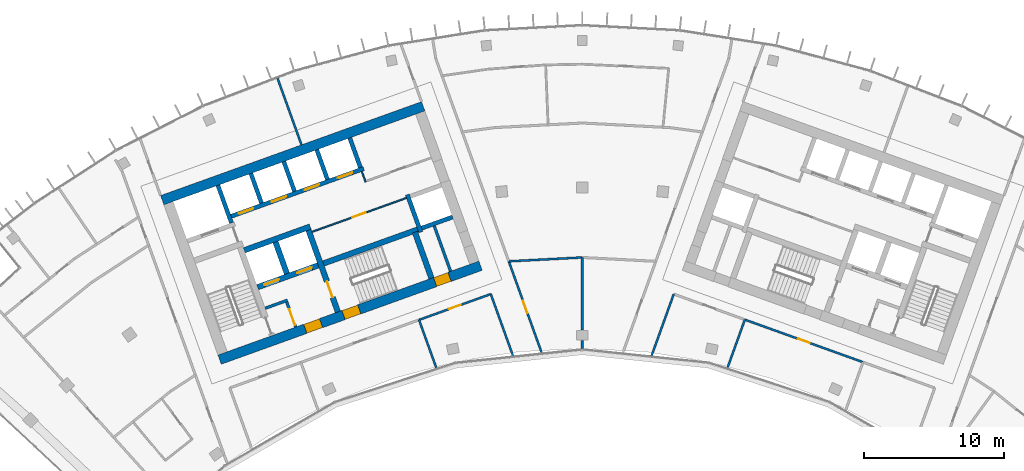
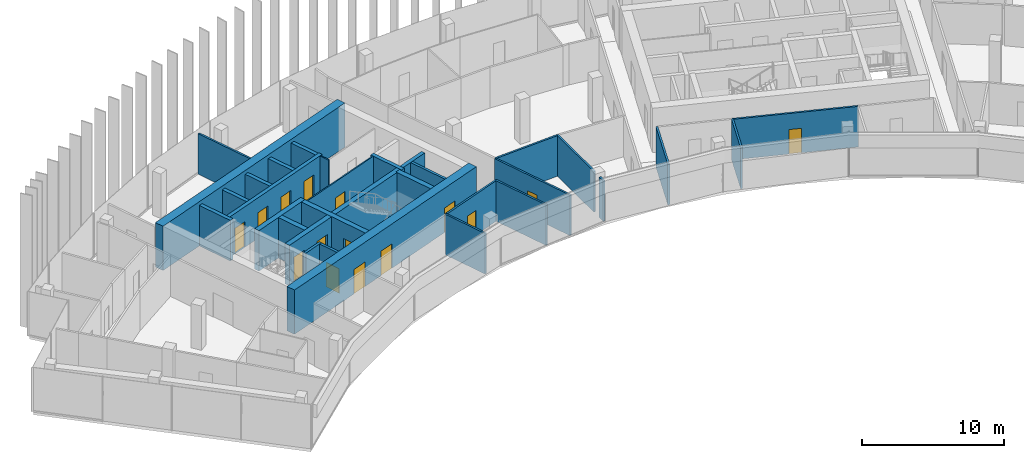
# One storey, part 14 of 18: 31 walls, 15 doors, 15 openings.
"""IFC4 building model written with IfcOpenShell, lengths in metres."""

from ifc_helpers import new_model, si_unit, direction, frame, frame_2d, origin, place, context, subcontext, project, spatial, rectangle, extrude, material, layer, layer_set, type_object, element, fill, save


model = new_model("IFC4")

# Units and contexts
model_context = context("Model", 3, precision=1e-05, world=origin(), true_north=direction((0.0, 1.0)))
body_context = subcontext(model_context, "Body", "Model", "MODEL_VIEW")
ifc_project = project(units=[si_unit("LENGTHUNIT", "METRE"), si_unit("AREAUNIT", "SQUARE_METRE"), si_unit("VOLUMEUNIT", "CUBIC_METRE"), si_unit("PLANEANGLEUNIT", "RADIAN"), si_unit("MASSUNIT", "GRAM", prefix="KILO")], contexts=[model_context])

# Site, building, storey
site_placement = place(None, origin())
site = spatial("IfcSite", under=ifc_project, at=site_placement, CompositionType="ELEMENT")
building_placement = place(site_placement, origin())
building = spatial("IfcBuilding", under=site, at=building_placement, Name="Stone Belt Terrace Tower", CompositionType="ELEMENT")
storey_placement = place(building_placement, frame((0.0, 0.0, 269.39990234375)))
storey = spatial("IfcBuildingStorey", under=building, at=storey_placement, Name="L65", CompositionType="ELEMENT", Elevation=269.39990234375)

# Wall, opening, door
ifc_material_1 = material(Name="Plasterboard partition")
ifc_layer_1 = layer(ifc_material_1, 0.10009765625)
ifc_layer_set_1 = layer_set([ifc_layer_1], Name="Core partition 100")
wall_type_1 = type_object("IfcWallType", Name="Core partition 100", PredefinedType="PARTITIONING", material=ifc_layer_set_1)
wall_1_placement = place(storey_placement, frame((-19.29052734375, 51.829833984375, 0.0), z_axis=(0.0, 0.0, 1.0), x_axis=(0.94092179465, 0.338623945331, 0.0)))
wall_1 = element("IfcWall", 1, at=wall_1_placement, inside=storey, type_object=wall_type_1, Name="Core A wall", PredefinedType="PARTITIONING", context=body_context, shape_type="SweptSolid", body=[
    extrude(rectangle(XDim=7.14990234375, YDim=0.10009765625, at=frame_2d((3.574951171875, 0.0))), origin(), (0.0, 0.0, 1.0), 3.47998046875),
])
opening_1_placement = place(wall_1_placement, frame((3.050048828125, 0.0, 0.0)))
opening_1 = element("IfcOpeningElement", 2, at=opening_1_placement, cuts=wall_1, Name="Opening L65-C02", PredefinedType="OPENING", context=body_context, shape_type="SweptSolid", body=[
    extrude(rectangle(XDim=1.0, YDim=2.10009765625, at=frame_2d((0.5, 1.050048828125))), frame((0.0, 0.06005859375, 0.0), z_axis=(0.0, -1.0, 0.0), x_axis=(1.0, 0.0, 0.0)), (0.0, 0.0, 1.0), 0.1201171875),
])
ifc_material_2 = material(Name="Timber door leaf", Category="wood")
door_type_1 = type_object("IfcDoorType", Name="Core room door 1000", OperationType="SINGLE_SWING_LEFT", PredefinedType="DOOR", material=ifc_material_2)
door_1_placement = place(opening_1_placement, origin())
door_1 = element("IfcDoor", 3, at=door_1_placement, inside=storey, type_object=door_type_1, Name="Door to Pantry core A", OperationType="SINGLE_SWING_RIGHT", OverallHeight=2.10009765625, OverallWidth=1.0, PredefinedType="DOOR", context=body_context, shape_type="SweptSolid", body=[
    extrude(rectangle(XDim=1.0, YDim=2.10009765625, at=frame_2d((0.5, 1.050048828125))), frame((0.0, 0.02490234375, 0.0), z_axis=(0.0, -1.0, 0.0), x_axis=(1.0, 0.0, 0.0)), (0.0, 0.0, 1.0), 0.050048828125),
])
fill(opening_1, door_1)

# Wall
wall_2_placement = place(storey_placement, frame((-15.46826171875, 55.384033203125, 0.0), z_axis=(0.0, 0.0, 1.0), x_axis=(-0.338481684961, 0.940972979923, 0.0)))
element("IfcWall", 4, at=wall_2_placement, inside=storey, type_object=wall_type_1, Name="Core A wall", PredefinedType="PARTITIONING", context=body_context, shape_type="SweptSolid", body=[
    extrude(rectangle(XDim=0.7998046875, YDim=0.10009765625, at=frame_2d((0.39990234375, 0.0))), origin(), (0.0, 0.0, 1.0), 3.47998046875),
])

# Wall, openings, doors
ifc_material_3 = material(Name="Concrete B60", Category="concrete")
ifc_layer_2 = layer(ifc_material_3, 0.699951171875)
ifc_layer_set_2 = layer_set([ifc_layer_2], Name="Core wall 700 B60")
wall_type_2 = type_object("IfcWallType", Name="Core wall 700 B60", PredefinedType="SHEAR", material=ifc_layer_set_2)
wall_3_placement = place(storey_placement, frame((-25.890869140625, 42.705810546875, 0.0), z_axis=(0.0, 0.0, 1.0), x_axis=(0.940925130461, 0.338614676094, 0.0)))
wall_3 = element("IfcWall", 5, at=wall_3_placement, inside=storey, type_object=wall_type_2, Name="Core A wall concave L65", PredefinedType="SHEAR", context=body_context, shape_type="SweptSolid", body=[
    extrude(rectangle(XDim=19.800048828125, YDim=0.699951171875, at=frame_2d((9.89990234375, 0.0))), origin(), (0.0, 0.0, 1.0), 3.800048828125),
])
opening_2_placement = place(wall_3_placement, frame((6.5, 0.0, 0.0)))
opening_2 = element("IfcOpeningElement", 6, at=opening_2_placement, cuts=wall_3, Name="Opening L65-C07", PredefinedType="OPENING", context=body_context, shape_type="SweptSolid", body=[
    extrude(rectangle(XDim=1.199951171875, YDim=2.10009765625, at=frame_2d((0.60009765625, 1.050048828125))), frame((0.0, 0.35986328125, 0.0), z_axis=(0.0, -1.0, 0.0), x_axis=(1.0, 0.0, 0.0)), (0.0, 0.0, 1.0), 0.719970703125),
])
opening_3_placement = place(wall_3_placement, frame((9.39990234375, 0.0, 0.0)))
opening_3 = element("IfcOpeningElement", 7, at=opening_3_placement, cuts=wall_3, Name="Opening L65-C09", PredefinedType="OPENING", context=body_context, shape_type="SweptSolid", body=[
    extrude(rectangle(XDim=1.199951171875, YDim=2.10009765625, at=frame_2d((0.60009765625, 1.050048828125))), frame((0.0, 0.35986328125, 0.0), z_axis=(0.0, -1.0, 0.0), x_axis=(1.0, 0.0, 0.0)), (0.0, 0.0, 1.0), 0.719970703125),
])
opening_4_placement = place(wall_3_placement, frame((16.35009765625, 0.0, 0.0)))
opening_4 = element("IfcOpeningElement", 8, at=opening_4_placement, cuts=wall_3, Name="Opening L65-C11", PredefinedType="OPENING", context=body_context, shape_type="SweptSolid", body=[
    extrude(rectangle(XDim=1.10009765625, YDim=2.10009765625, at=frame_2d((0.550048828125, 1.050048828125))), frame((0.0, 0.35986328125, 0.0), z_axis=(0.0, -1.0, 0.0), x_axis=(1.0, 0.0, 0.0)), (0.0, 0.0, 1.0), 0.719970703125),
])
door_type_2 = type_object("IfcDoorType", Name="Core room door 1100", OperationType="SINGLE_SWING_LEFT", PredefinedType="DOOR", material=ifc_material_2)
door_2_placement = place(opening_4_placement, origin())
door_2 = element("IfcDoor", 9, at=door_2_placement, inside=storey, type_object=door_type_2, Name="Door to Communications riser room core A", OperationType="SINGLE_SWING_RIGHT", OverallHeight=2.10009765625, OverallWidth=1.10009765625, PredefinedType="DOOR", context=body_context, shape_type="SweptSolid", body=[
    extrude(rectangle(XDim=1.10009765625, YDim=2.10009765625, at=frame_2d((0.550048828125, 1.050048828125))), frame((0.0, 0.330078125, 0.0), z_axis=(0.0, -1.0, 0.0), x_axis=(1.0, 0.0, 0.0)), (0.0, 0.0, 1.0), 0.659912109375),
])
fill(opening_4, door_2)
ifc_material_4 = material(Name="Steel door leaf", Category="steel")
door_type_3 = type_object("IfcDoorType", Name="Fire-fighting lobby door 1200", OperationType="SINGLE_SWING_LEFT", PredefinedType="DOOR", material=ifc_material_4)
door_3_placement = place(opening_2_placement, origin())
door_3 = element("IfcDoor", 10, at=door_3_placement, inside=storey, type_object=door_type_3, Name="Fire-fighting lobby door core A", OperationType="SINGLE_SWING_RIGHT", OverallHeight=2.10009765625, OverallWidth=1.199951171875, PredefinedType="DOOR", context=body_context, shape_type="SweptSolid", body=[
    extrude(rectangle(XDim=1.199951171875, YDim=2.10009765625, at=frame_2d((0.60009765625, 1.050048828125))), frame((0.0, 0.330078125, 0.0), z_axis=(0.0, -1.0, 0.0), x_axis=(1.0, 0.0, 0.0)), (0.0, 0.0, 1.0), 0.659912109375),
])
fill(opening_2, door_3)
door_type_4 = type_object("IfcDoorType", Name="Stair door 1200", OperationType="SINGLE_SWING_LEFT", PredefinedType="DOOR", material=ifc_material_4)
door_4_placement = place(opening_3_placement, origin())
door_4 = element("IfcDoor", 11, at=door_4_placement, inside=storey, type_object=door_type_4, Name="Stair 2 exit door core A", OperationType="SINGLE_SWING_LEFT", OverallHeight=2.10009765625, OverallWidth=1.199951171875, PredefinedType="DOOR", context=body_context, shape_type="SweptSolid", body=[
    extrude(rectangle(XDim=1.199951171875, YDim=2.10009765625, at=frame_2d((0.60009765625, 1.050048828125))), frame((0.0, 0.330078125, 0.0), z_axis=(0.0, -1.0, 0.0), x_axis=(1.0, 0.0, 0.0)), (0.0, 0.0, 1.0), 0.659912109375),
])
fill(opening_3, door_4)

# Walls
wall_4_placement = place(storey_placement, frame((-29.988037109375, 54.0908203125, 0.0), z_axis=(0.0, 0.0, 1.0), x_axis=(0.940919787944, 0.33862952124, 0.0)))
element("IfcWall", 12, at=wall_4_placement, inside=storey, type_object=wall_type_2, Name="Core A wall convex L65", PredefinedType="SHEAR", context=body_context, shape_type="SweptSolid", body=[
    extrude(rectangle(XDim=19.7998046875, YDim=0.699951171875, at=frame_2d((9.89990234375, 0.0))), origin(), (0.0, 0.0, 1.0), 3.800048828125),
])
ifc_material_5 = material(Name="Concrete B80", Category="concrete")
ifc_layer_3 = layer(ifc_material_5, 0.39990234375)
ifc_layer_set_3 = layer_set([ifc_layer_3], Name="Fire-fighting lift shaft wall 400")
wall_type_3 = type_object("IfcWallType", Name="Fire-fighting lift shaft wall 400", PredefinedType="SHEAR", material=ifc_layer_set_3)
wall_5_placement = place(storey_placement, frame((-24.130615234375, 50.512939453125, 0.0), z_axis=(0.0, 0.0, 1.0), x_axis=(0.94091168377, 0.338652038744, 0.0)))
element("IfcWall", 13, at=wall_5_placement, inside=storey, type_object=wall_type_3, Name="Core A wall", PredefinedType="SHEAR", context=body_context, shape_type="SweptSolid", body=[
    extrude(rectangle(XDim=5.000244140625, YDim=0.39990234375, at=frame_2d((2.5, 0.0))), origin(), (0.0, 0.0, 1.0), 3.47998046875),
])
wall_6_placement = place(storey_placement, frame((-21.0859375, 48.845458984375, 0.0), z_axis=(0.0, 0.0, 1.0), x_axis=(-0.338629416206, 0.940919825745, 0.0)))
element("IfcWall", 14, at=wall_6_placement, inside=storey, type_object=wall_type_3, Name="Core A wall", PredefinedType="SHEAR", context=body_context, shape_type="SweptSolid", body=[
    extrude(rectangle(XDim=2.400146484375, YDim=0.39990234375, at=frame_2d((1.2001953125, 0.0))), origin(), (0.0, 0.0, 1.0), 3.47998046875),
])
ifc_layer_4 = layer(ifc_material_5, 0.300048828125)
ifc_layer_set_4 = layer_set([ifc_layer_4], Name="Lift shaft wall 300")
wall_type_4 = type_object("IfcWallType", Name="Lift shaft wall 300", PredefinedType="SHEAR", material=ifc_layer_set_4)
wall_7_placement = place(storey_placement, frame((-25.046875, 52.46826171875, 0.0), z_axis=(0.0, 0.0, 1.0), x_axis=(-0.338549588058, 0.940948551423, 0.0)))
element("IfcWall", 15, at=wall_7_placement, inside=storey, type_object=wall_type_4, Name="Core A wall", PredefinedType="SHEAR", context=body_context, shape_type="SweptSolid", body=[
    extrude(rectangle(XDim=2.849853515625, YDim=0.300048828125, at=frame_2d((1.4248046875, 0.0))), origin(), (0.0, 0.0, 1.0), 3.47998046875),
])

# Wall, openings, doors
wall_8_placement = place(storey_placement, frame((-25.05810546875, 52.9423828125, 0.0), z_axis=(0.0, 0.0, 1.0), x_axis=(0.940917446785, 0.338636026339, 0.0)))
wall_8 = element("IfcWall", 16, at=wall_8_placement, inside=storey, type_object=wall_type_4, Name="Core A wall", PredefinedType="SHEAR", context=body_context, shape_type="SweptSolid", body=[
    extrude(rectangle(XDim=10.050048828125, YDim=0.300048828125, at=frame_2d((5.02490234375, 0.0))), origin(), (0.0, 0.0, 1.0), 3.47998046875),
])
opening_5_placement = place(wall_8_placement, frame((0.570068359375, 0.0, 0.0)))
opening_5 = element("IfcOpeningElement", 17, at=opening_5_placement, cuts=wall_8, Name="Opening L65-LD01", PredefinedType="OPENING", context=body_context, shape_type="SweptSolid", body=[
    extrude(rectangle(XDim=1.10009765625, YDim=2.199951171875, at=frame_2d((0.550048828125, 1.10009765625))), frame((0.0, 0.159912109375, 0.0), z_axis=(0.0, -1.0, 0.0), x_axis=(1.0, 0.0, 0.0)), (0.0, 0.0, 1.0), 0.320068359375),
])
opening_6_placement = place(wall_8_placement, frame((3.070068359375, 0.0, 0.0)))
opening_6 = element("IfcOpeningElement", 18, at=opening_6_placement, cuts=wall_8, Name="Opening L65-LD02", PredefinedType="OPENING", context=body_context, shape_type="SweptSolid", body=[
    extrude(rectangle(XDim=1.10009765625, YDim=2.199951171875, at=frame_2d((0.550048828125, 1.10009765625))), frame((0.0, 0.159912109375, 0.0), z_axis=(0.0, -1.0, 0.0), x_axis=(1.0, 0.0, 0.0)), (0.0, 0.0, 1.0), 0.320068359375),
])
opening_7_placement = place(wall_8_placement, frame((5.570068359375, 0.0, 0.0)))
opening_7 = element("IfcOpeningElement", 19, at=opening_7_placement, cuts=wall_8, Name="Opening L65-LD03", PredefinedType="OPENING", context=body_context, shape_type="SweptSolid", body=[
    extrude(rectangle(XDim=1.10009765625, YDim=2.199951171875, at=frame_2d((0.550048828125, 1.10009765625))), frame((0.0, 0.159912109375, 0.0), z_axis=(0.0, -1.0, 0.0), x_axis=(1.0, 0.0, 0.0)), (0.0, 0.0, 1.0), 0.320068359375),
])
opening_8_placement = place(wall_8_placement, frame((8.070068359375, 0.0, 0.0)))
opening_8 = element("IfcOpeningElement", 20, at=opening_8_placement, cuts=wall_8, Name="Opening L65-LD04", PredefinedType="OPENING", context=body_context, shape_type="SweptSolid", body=[
    extrude(rectangle(XDim=1.10009765625, YDim=2.199951171875, at=frame_2d((0.550048828125, 1.10009765625))), frame((0.0, 0.159912109375, 0.0), z_axis=(0.0, -1.0, 0.0), x_axis=(1.0, 0.0, 0.0)), (0.0, 0.0, 1.0), 0.320068359375),
])
ifc_material_6 = material(Name="Stainless steel door leaf", Category="steel")
door_type_5 = type_object("IfcDoorType", Name="Landing door 1100", OperationType="SLIDING_TO_LEFT", PredefinedType="DOOR", material=ifc_material_6)
door_5_placement = place(opening_5_placement, origin())
door_5 = element("IfcDoor", 21, at=door_5_placement, inside=storey, type_object=door_type_5, Name="Landing door HR1 core A", OperationType="SLIDING_TO_LEFT", OverallHeight=2.199951171875, OverallWidth=1.10009765625, PredefinedType="DOOR", context=body_context, shape_type="SweptSolid", body=[
    extrude(rectangle(XDim=1.10009765625, YDim=2.199951171875, at=frame_2d((0.550048828125, 1.10009765625))), frame((0.0, 0.02490234375, 0.0), z_axis=(0.0, -1.0, 0.0), x_axis=(1.0, 0.0, 0.0)), (0.0, 0.0, 1.0), 0.050048828125),
])
fill(opening_5, door_5)
door_6_placement = place(opening_6_placement, origin())
door_6 = element("IfcDoor", 22, at=door_6_placement, inside=storey, type_object=door_type_5, Name="Landing door HR2 core A", OperationType="SLIDING_TO_LEFT", OverallHeight=2.199951171875, OverallWidth=1.10009765625, PredefinedType="DOOR", context=body_context, shape_type="SweptSolid", body=[
    extrude(rectangle(XDim=1.10009765625, YDim=2.199951171875, at=frame_2d((0.550048828125, 1.10009765625))), frame((0.0, 0.02490234375, 0.0), z_axis=(0.0, -1.0, 0.0), x_axis=(1.0, 0.0, 0.0)), (0.0, 0.0, 1.0), 0.050048828125),
])
fill(opening_6, door_6)
door_7_placement = place(opening_7_placement, origin())
door_7 = element("IfcDoor", 23, at=door_7_placement, inside=storey, type_object=door_type_5, Name="Landing door HR3 core A", OperationType="SLIDING_TO_LEFT", OverallHeight=2.199951171875, OverallWidth=1.10009765625, PredefinedType="DOOR", context=body_context, shape_type="SweptSolid", body=[
    extrude(rectangle(XDim=1.10009765625, YDim=2.199951171875, at=frame_2d((0.550048828125, 1.10009765625))), frame((0.0, 0.02490234375, 0.0), z_axis=(0.0, -1.0, 0.0), x_axis=(1.0, 0.0, 0.0)), (0.0, 0.0, 1.0), 0.050048828125),
])
fill(opening_7, door_7)
door_8_placement = place(opening_8_placement, origin())
door_8 = element("IfcDoor", 24, at=door_8_placement, inside=storey, type_object=door_type_5, Name="Landing door HR4 core A", OperationType="SLIDING_TO_LEFT", OverallHeight=2.199951171875, OverallWidth=1.10009765625, PredefinedType="DOOR", context=body_context, shape_type="SweptSolid", body=[
    extrude(rectangle(XDim=1.10009765625, YDim=2.199951171875, at=frame_2d((0.550048828125, 1.10009765625))), frame((0.0, 0.02490234375, 0.0), z_axis=(0.0, -1.0, 0.0), x_axis=(1.0, 0.0, 0.0)), (0.0, 0.0, 1.0), 0.050048828125),
])
fill(opening_8, door_8)

# Walls
wall_9_placement = place(storey_placement, frame((-22.897705078125, 53.87939453125, 0.0), z_axis=(0.0, 0.0, 1.0), x_axis=(-0.338535034312, 0.940953787677, 0.0)))
element("IfcWall", 25, at=wall_9_placement, inside=storey, type_object=wall_type_4, Name="Core A wall", PredefinedType="SHEAR", context=body_context, shape_type="SweptSolid", body=[
    extrude(rectangle(XDim=2.25, YDim=0.300048828125, at=frame_2d((1.125, 0.0))), origin(), (0.0, 0.0, 1.0), 3.47998046875),
])
wall_10_placement = place(storey_placement, frame((-20.54541015625, 54.72607421875, 0.0), z_axis=(0.0, 0.0, 1.0), x_axis=(-0.338569601369, 0.940941350472, 0.0)))
element("IfcWall", 26, at=wall_10_placement, inside=storey, type_object=wall_type_4, Name="Core A wall", PredefinedType="SHEAR", context=body_context, shape_type="SweptSolid", body=[
    extrude(rectangle(XDim=2.249755859375, YDim=0.300048828125, at=frame_2d((1.125, 0.0))), origin(), (0.0, 0.0, 1.0), 3.47998046875),
])
wall_11_placement = place(storey_placement, frame((-18.193115234375, 55.572509765625, 0.0), z_axis=(0.0, 0.0, 1.0), x_axis=(-0.338535034312, 0.940953787677, 0.0)))
element("IfcWall", 27, at=wall_11_placement, inside=storey, type_object=wall_type_4, Name="Core A wall", PredefinedType="SHEAR", context=body_context, shape_type="SweptSolid", body=[
    extrude(rectangle(XDim=2.25, YDim=0.300048828125, at=frame_2d((1.125, 0.0))), origin(), (0.0, 0.0, 1.0), 3.47998046875),
])
wall_12_placement = place(storey_placement, frame((-15.8408203125, 56.419189453125, 0.0), z_axis=(0.0, 0.0, 1.0), x_axis=(-0.338569601369, 0.940941350472, 0.0)))
element("IfcWall", 28, at=wall_12_placement, inside=storey, type_object=wall_type_4, Name="Core A wall", PredefinedType="SHEAR", context=body_context, shape_type="SweptSolid", body=[
    extrude(rectangle(XDim=2.249755859375, YDim=0.300048828125, at=frame_2d((1.125, 0.0))), origin(), (0.0, 0.0, 1.0), 3.47998046875),
])
wall_13_placement = place(storey_placement, frame((-11.5244140625, 51.808349609375, 0.0), z_axis=(0.0, 0.0, 1.0), x_axis=(-0.338625431531, 0.940921259788, 0.0)))
element("IfcWall", 29, at=wall_13_placement, inside=storey, type_object=wall_type_4, Name="Core A wall", PredefinedType="SHEAR", context=body_context, shape_type="SweptSolid", body=[
    extrude(rectangle(XDim=2.85009765625, YDim=0.300048828125, at=frame_2d((1.425048828125, 0.0))), origin(), (0.0, 0.0, 1.0), 3.47998046875),
])
wall_14_placement = place(storey_placement, frame((-11.468017578125, 52.09423828125, 0.0), z_axis=(0.0, 0.0, 1.0), x_axis=(0.940904627055, 0.338671644496, 0.0)))
element("IfcWall", 30, at=wall_14_placement, inside=storey, type_object=wall_type_4, Name="Core A wall", PredefinedType="SHEAR", context=body_context, shape_type="SweptSolid", body=[
    extrude(rectangle(XDim=2.35009765625, YDim=0.300048828125, at=frame_2d((1.175048828125, 0.0))), origin(), (0.0, 0.0, 1.0), 3.47998046875),
])
ifc_material_7 = material(Name="Gypsum board partition")
ifc_layer_5 = layer(ifc_material_7, 0.14990234375)
ifc_layer_set_5 = layer_set([ifc_layer_5], Name="PARTITION 150 EI 60")
wall_type_5 = type_object("IfcWallType", Name="PARTITION 150 EI 60", PredefinedType="PARTITIONING", material=ifc_layer_set_5)
wall_15_placement = place(storey_placement, frame((-4.946044921875, 42.980224609375, 0.0), z_axis=(0.0, 0.0, 1.0), x_axis=(-0.338699196287, 0.940894709537, 0.0)))
element("IfcWall", 31, at=wall_15_placement, inside=storey, type_object=wall_type_5, Name="L65/wall/i009", PredefinedType="PARTITIONING", context=body_context, shape_type="SweptSolid", body=[
    extrude(rectangle(XDim=4.691162109375, YDim=0.14990234375, at=frame_2d((2.345703125, 0.0))), origin(), (0.0, 0.0, 1.0), 3.47998046875),
])

# Wall, opening, door
wall_16_placement = place(storey_placement, frame((-5.2490234375, 49.72900390625, 0.0), z_axis=(0.0, 0.0, 1.0), x_axis=(0.338658460958, -0.940909372268, 0.0)))
wall_16 = element("IfcWall", 32, at=wall_16_placement, inside=storey, type_object=wall_type_5, Name="L65/wall/i011", PredefinedType="PARTITIONING", context=body_context, shape_type="SweptSolid", body=[
    extrude(rectangle(XDim=6.94384765625, YDim=0.14990234375, at=frame_2d((3.471923828125, 0.0))), origin(), (0.0, 0.0, 1.0), 3.47998046875),
])
opening_9_placement = place(wall_16_placement, frame((3.02197265625, 0.0, 0.0)))
opening_9 = element("IfcOpeningElement", 33, at=opening_9_placement, cuts=wall_16, Name="Opening D-E1-25", PredefinedType="OPENING", context=body_context, shape_type="SweptSolid", body=[
    extrude(rectangle(XDim=0.89990234375, YDim=2.10009765625, at=frame_2d((0.449951171875, 1.050048828125))), frame((0.0, 0.0849609375, 0.0), z_axis=(0.0, -1.0, 0.0), x_axis=(1.0, 0.0, 0.0)), (0.0, 0.0, 1.0), 0.169921875),
])
door_type_6 = type_object("IfcDoorType", Name="OFFICE DOOR 900 X 2100", OperationType="NOTDEFINED", PredefinedType="DOOR", material=ifc_material_2)
door_9_placement = place(opening_9_placement, origin())
door_9 = element("IfcDoor", 34, at=door_9_placement, inside=storey, type_object=door_type_6, Name="L65/door/i25", OperationType="SINGLE_SWING_RIGHT", OverallHeight=2.10009765625, OverallWidth=0.89990234375, PredefinedType="DOOR", context=body_context, shape_type="SweptSolid", body=[
    extrude(rectangle(XDim=0.89990234375, YDim=2.10009765625, at=frame_2d((0.449951171875, 1.050048828125))), frame((0.0, 0.02490234375, 0.0), z_axis=(0.0, -1.0, 0.0), x_axis=(1.0, 0.0, 0.0)), (0.0, 0.0, 1.0), 0.050048828125),
])
fill(opening_9, door_9)

wall_17_placement = place(storey_placement, frame((-6.532958984375, 47.387939453125, 0.0), z_axis=(0.0, 0.0, 1.0), x_axis=(-0.940930243135, -0.338600468922, 0.0)))
wall_17 = element("IfcWall", 35, at=wall_17_placement, inside=storey, type_object=wall_type_5, Name="L65/wall/i018", PredefinedType="PARTITIONING", context=body_context, shape_type="SweptSolid", body=[
    extrude(rectangle(XDim=5.44873046875, YDim=0.14990234375, at=frame_2d((2.724365234375, 0.0))), origin(), (0.0, 0.0, 1.0), 3.47998046875),
])
opening_10_placement = place(wall_17_placement, frame((2.2744140625, 0.0, 0.0)))
opening_10 = element("IfcOpeningElement", 36, at=opening_10_placement, cuts=wall_17, Name="Opening D-E1-03", PredefinedType="OPENING", context=body_context, shape_type="SweptSolid", body=[
    extrude(rectangle(XDim=0.89990234375, YDim=2.10009765625, at=frame_2d((0.449951171875, 1.050048828125))), frame((0.0, 0.0849609375, 0.0), z_axis=(0.0, -1.0, 0.0), x_axis=(1.0, 0.0, 0.0)), (0.0, 0.0, 1.0), 0.169921875),
])
door_10_placement = place(opening_10_placement, origin())
door_10 = element("IfcDoor", 37, at=door_10_placement, inside=storey, type_object=door_type_6, Name="L65/door/i03", OperationType="SINGLE_SWING_RIGHT", OverallHeight=2.10009765625, OverallWidth=0.89990234375, PredefinedType="DOOR", context=body_context, shape_type="SweptSolid", body=[
    extrude(rectangle(XDim=0.89990234375, YDim=2.10009765625, at=frame_2d((0.449951171875, 1.050048828125))), frame((0.0, 0.02490234375, 0.0), z_axis=(0.0, -1.0, 0.0), x_axis=(1.0, 0.0, 0.0)), (0.0, 0.0, 1.0), 0.050048828125),
])
fill(opening_10, door_10)

# Walls
wall_18_placement = place(storey_placement, frame((-11.654052734375, 45.5439453125, 0.0), z_axis=(0.0, 0.0, 1.0), x_axis=(0.33873365489, -0.940882304566, 0.0)))
element("IfcWall", 38, at=wall_18_placement, inside=storey, type_object=wall_type_5, Name="L65/wall/i020", PredefinedType="PARTITIONING", context=body_context, shape_type="SweptSolid", body=[
    extrude(rectangle(XDim=3.65625, YDim=0.14990234375, at=frame_2d((1.828125, 0.0))), origin(), (0.0, 0.0, 1.0), 3.47998046875),
])
wall_19_placement = place(storey_placement, frame((-21.7529296875, 62.783203125, 0.0), z_axis=(0.0, 0.0, 1.0), x_axis=(0.338692023406, -0.940897291568, 0.0)))
element("IfcWall", 39, at=wall_19_placement, inside=storey, type_object=wall_type_5, Name="L65/wall/i021", PredefinedType="PARTITIONING", context=body_context, shape_type="SweptSolid", body=[
    extrude(rectangle(XDim=5.0400390625, YDim=0.14990234375, at=frame_2d((2.52001953125, 0.0))), origin(), (0.0, 0.0, 1.0), 3.47998046875),
])
wall_20_placement = place(storey_placement, frame((6.534912109375, 47.39404296875, 0.0), z_axis=(0.0, 0.0, 1.0), x_axis=(-0.338699196287, -0.940894709537, 0.0)))
element("IfcWall", 40, at=wall_20_placement, inside=storey, type_object=wall_type_5, Name="L65/wall/i022", PredefinedType="PARTITIONING", context=body_context, shape_type="SweptSolid", body=[
    extrude(rectangle(XDim=4.691162109375, YDim=0.14990234375, at=frame_2d((2.345703125, 0.0))), origin(), (0.0, 0.0, 1.0), 3.47998046875),
])

# Wall, opening, door
wall_21_placement = place(storey_placement, frame((20.047119140625, 42.52392578125, 0.0), z_axis=(0.0, 0.0, 1.0), x_axis=(-0.9409189555, 0.338631834269, 0.0)))
wall_21 = element("IfcWall", 41, at=wall_21_placement, inside=storey, type_object=wall_type_5, Name="L65/wall/i037", PredefinedType="PARTITIONING", context=body_context, shape_type="SweptSolid", body=[
    extrude(rectangle(XDim=8.977294921875, YDim=0.14990234375, at=frame_2d((4.48876953125, 0.0))), origin(), (0.0, 0.0, 1.0), 3.47998046875),
])
opening_11_placement = place(wall_21_placement, frame((4.03857421875, 0.0, 0.0)))
opening_11 = element("IfcOpeningElement", 42, at=opening_11_placement, cuts=wall_21, Name="Opening D-E1-07", PredefinedType="OPENING", context=body_context, shape_type="SweptSolid", body=[
    extrude(rectangle(XDim=0.89990234375, YDim=2.10009765625, at=frame_2d((0.449951171875, 1.050048828125))), frame((0.0, 0.0849609375, 0.0), z_axis=(0.0, -1.0, 0.0), x_axis=(1.0, 0.0, 0.0)), (0.0, 0.0, 1.0), 0.169921875),
])
door_11_placement = place(opening_11_placement, origin())
door_11 = element("IfcDoor", 43, at=door_11_placement, inside=storey, type_object=door_type_6, Name="L65/door/i07", OperationType="SINGLE_SWING_RIGHT", OverallHeight=2.10009765625, OverallWidth=0.89990234375, PredefinedType="DOOR", context=body_context, shape_type="SweptSolid", body=[
    extrude(rectangle(XDim=0.89990234375, YDim=2.10009765625, at=frame_2d((0.449951171875, 1.050048828125))), frame((0.0, 0.02490234375, 0.0), z_axis=(0.0, -1.0, 0.0), x_axis=(1.0, 0.0, 0.0)), (0.0, 0.0, 1.0), 0.050048828125),
])
fill(opening_11, door_11)

# Walls
wall_22_placement = place(storey_placement, frame((11.60595703125, 45.56201171875, 0.0), z_axis=(0.0, 0.0, 1.0), x_axis=(-0.338520972253, -0.940958846786, 0.0)))
element("IfcWall", 44, at=wall_22_placement, inside=storey, type_object=wall_type_5, Name="L65/wall/i039", PredefinedType="PARTITIONING", context=body_context, shape_type="SweptSolid", body=[
    extrude(rectangle(XDim=3.65869140625, YDim=0.14990234375, at=frame_2d((1.829345703125, 0.0))), origin(), (0.0, 0.0, 1.0), 3.47998046875),
])
wall_23_placement = place(storey_placement, frame((0.0, 50.0, 0.0), z_axis=(0.0, 0.0, 1.0), x_axis=(0.0, -1.0, 0.0)))
element("IfcWall", 45, at=wall_23_placement, inside=storey, type_object=wall_type_5, Name="L65/wall/i075", PredefinedType="PARTITIONING", context=body_context, shape_type="SweptSolid", body=[
    extrude(rectangle(XDim=5.175048828125, YDim=0.14990234375, at=frame_2d((2.58740234375, 0.0))), origin(), (0.0, 0.0, 1.0), 3.47998046875),
])
wall_24_placement = place(storey_placement, frame((0.0, 44.06494140625, 0.0), z_axis=(0.0, 0.0, 1.0), x_axis=(0.0, -1.0, 0.0)))
element("IfcWall", 46, at=wall_24_placement, inside=storey, type_object=wall_type_5, Name="L65/wall/i076", PredefinedType="PARTITIONING", context=body_context, shape_type="SweptSolid", body=[
    extrude(rectangle(XDim=0.56494140625, YDim=0.14990234375, at=frame_2d((0.282470703125, 0.0))), origin(), (0.0, 0.0, 1.0), 3.47998046875),
])
wall_25_placement = place(storey_placement, frame((-5.22607421875, 49.72607421875, 0.0), z_axis=(0.0, 0.0, 1.0), x_axis=(0.998629146863, 0.052343357133, 0.0)))
element("IfcWall", 47, at=wall_25_placement, inside=storey, type_object=wall_type_5, Name="L65/wall/i077", PredefinedType="PARTITIONING", context=body_context, shape_type="SweptSolid", body=[
    extrude(rectangle(XDim=5.233154296875, YDim=0.14990234375, at=frame_2d((2.61669921875, 0.0))), origin(), (0.0, 0.0, 1.0), 3.47998046875),
])
ifc_material_8 = material(Name="Concrete masonry block", Category="masonry")
ifc_layer_6 = layer(ifc_material_8, 0.199951171875)
ifc_layer_set_6 = layer_set([ifc_layer_6], Name="Rated lobby wall 200")
wall_type_6 = type_object("IfcWallType", Name="Rated lobby wall 200", PredefinedType="PARTITIONING", material=ifc_layer_set_6)
wall_26_placement = place(storey_placement, frame((-22.640625, 46.373046875, 0.0), z_axis=(0.0, 0.0, 1.0), x_axis=(0.940966110313, 0.338500781747, 0.0)))
element("IfcWall", 48, at=wall_26_placement, inside=storey, type_object=wall_type_6, Name="Core A wall", PredefinedType="PARTITIONING", context=body_context, shape_type="SweptSolid", body=[
    extrude(rectangle(XDim=1.699951171875, YDim=0.199951171875, at=frame_2d((0.85009765625, 0.0))), origin(), (0.0, 0.0, 1.0), 3.47998046875),
])

# Wall, opening, door
wall_27_placement = place(storey_placement, frame((-20.4580078125, 45.032958984375, 0.0), z_axis=(0.0, 0.0, 1.0), x_axis=(-0.338573865316, 0.940939816208, 0.0)))
wall_27 = element("IfcWall", 49, at=wall_27_placement, inside=storey, type_object=wall_type_6, Name="Core A wall", PredefinedType="PARTITIONING", context=body_context, shape_type="SweptSolid", body=[
    extrude(rectangle(XDim=1.900146484375, YDim=0.199951171875, at=frame_2d((0.9501953125, 0.0))), origin(), (0.0, 0.0, 1.0), 3.47998046875),
])
opening_12_placement = place(wall_27_placement, frame((0.14990234375, 0.0, 0.0)))
opening_12 = element("IfcOpeningElement", 50, at=opening_12_placement, cuts=wall_27, Name="Opening L65-C06", PredefinedType="OPENING", context=body_context, shape_type="SweptSolid", body=[
    extrude(rectangle(XDim=1.199951171875, YDim=2.10009765625, at=frame_2d((0.60009765625, 1.050048828125))), frame((0.0, 0.10986328125, 0.0), z_axis=(0.0, -1.0, 0.0), x_axis=(1.0, 0.0, 0.0)), (0.0, 0.0, 1.0), 0.219970703125),
])
door_12_placement = place(opening_12_placement, origin())
door_12 = element("IfcDoor", 51, at=door_12_placement, inside=storey, type_object=door_type_4, Name="Stair airlock door core A", OperationType="SINGLE_SWING_RIGHT", OverallHeight=2.10009765625, OverallWidth=1.199951171875, PredefinedType="DOOR", context=body_context, shape_type="SweptSolid", body=[
    extrude(rectangle(XDim=1.199951171875, YDim=2.10009765625, at=frame_2d((0.60009765625, 1.050048828125))), frame((0.0, 0.02490234375, 0.0), z_axis=(0.0, -1.0, 0.0), x_axis=(1.0, 0.0, 0.0)), (0.0, 0.0, 1.0), 0.050048828125),
])
fill(opening_12, door_12)

# Wall
wall_28_placement = place(storey_placement, frame((-9.402099609375, 49.01171875, 0.0), z_axis=(0.0, 0.0, 1.0), x_axis=(-0.338599189079, 0.940930703695, 0.0)))
element("IfcWall", 52, at=wall_28_placement, inside=storey, type_object=wall_type_6, Name="Core A wall", PredefinedType="PARTITIONING", context=body_context, shape_type="SweptSolid", body=[
    extrude(rectangle(XDim=3.4501953125, YDim=0.199951171875, at=frame_2d((1.72509765625, 0.0))), origin(), (0.0, 0.0, 1.0), 3.47998046875),
])

# Wall, openings, doors
ifc_layer_7 = layer(ifc_material_5, 0.39990234375)
ifc_layer_set_7 = layer_set([ifc_layer_7], Name="Stair enclosure wall 400")
wall_type_7 = type_object("IfcWallType", Name="Stair enclosure wall 400", PredefinedType="SHEAR", material=ifc_layer_set_7)
wall_29_placement = place(storey_placement, frame((-23.182373046875, 47.87841796875, 0.0), z_axis=(0.0, 0.0, 1.0), x_axis=(0.940921731919, 0.338624119641, 0.0)))
wall_29 = element("IfcWall", 53, at=wall_29_placement, inside=storey, type_object=wall_type_7, Name="Core A wall", PredefinedType="SHEAR", context=body_context, shape_type="SweptSolid", body=[
    extrude(rectangle(XDim=12.14990234375, YDim=0.39990234375, at=frame_2d((6.074951171875, 0.0))), origin(), (0.0, 0.0, 1.0), 3.47998046875),
])
opening_13_placement = place(wall_29_placement, frame((0.52001953125, 0.0, 0.0)))
opening_13 = element("IfcOpeningElement", 54, at=opening_13_placement, cuts=wall_29, Name="Opening L65-LD05", PredefinedType="OPENING", context=body_context, shape_type="SweptSolid", body=[
    extrude(rectangle(XDim=1.10009765625, YDim=2.199951171875, at=frame_2d((0.550048828125, 1.10009765625))), frame((0.0, 0.2099609375, 0.0), z_axis=(0.0, -1.0, 0.0), x_axis=(1.0, 0.0, 0.0)), (0.0, 0.0, 1.0), 0.419921875),
])
opening_14_placement = place(wall_29_placement, frame((3.02001953125, 0.0, 0.0)))
opening_14 = element("IfcOpeningElement", 55, at=opening_14_placement, cuts=wall_29, Name="Opening L65-LD06", PredefinedType="OPENING", context=body_context, shape_type="SweptSolid", body=[
    extrude(rectangle(XDim=1.10009765625, YDim=2.199951171875, at=frame_2d((0.550048828125, 1.10009765625))), frame((0.0, 0.2099609375, 0.0), z_axis=(0.0, -1.0, 0.0), x_axis=(1.0, 0.0, 0.0)), (0.0, 0.0, 1.0), 0.419921875),
])
door_13_placement = place(opening_13_placement, origin())
door_13 = element("IfcDoor", 56, at=door_13_placement, inside=storey, type_object=door_type_5, Name="Landing door FF1 core A", OperationType="SLIDING_TO_LEFT", OverallHeight=2.199951171875, OverallWidth=1.10009765625, PredefinedType="DOOR", context=body_context, shape_type="SweptSolid", body=[
    extrude(rectangle(XDim=1.10009765625, YDim=2.199951171875, at=frame_2d((0.550048828125, 1.10009765625))), frame((0.0, 0.02490234375, 0.0), z_axis=(0.0, -1.0, 0.0), x_axis=(1.0, 0.0, 0.0)), (0.0, 0.0, 1.0), 0.050048828125),
])
fill(opening_13, door_13)
door_14_placement = place(opening_14_placement, origin())
door_14 = element("IfcDoor", 57, at=door_14_placement, inside=storey, type_object=door_type_5, Name="Landing door FF2 core A", OperationType="SLIDING_TO_LEFT", OverallHeight=2.199951171875, OverallWidth=1.10009765625, PredefinedType="DOOR", context=body_context, shape_type="SweptSolid", body=[
    extrude(rectangle(XDim=1.10009765625, YDim=2.199951171875, at=frame_2d((0.550048828125, 1.10009765625))), frame((0.0, 0.02490234375, 0.0), z_axis=(0.0, -1.0, 0.0), x_axis=(1.0, 0.0, 0.0)), (0.0, 0.0, 1.0), 0.050048828125),
])
fill(opening_14, door_14)

# Wall, opening, door
wall_30_placement = place(storey_placement, frame((-17.447021484375, 46.116455078125, 0.0), z_axis=(0.0, 0.0, 1.0), x_axis=(-0.33860791464, 0.940927563707, 0.0)))
wall_30 = element("IfcWall", 58, at=wall_30_placement, inside=storey, type_object=wall_type_7, Name="Core A wall", PredefinedType="SHEAR", context=body_context, shape_type="SweptSolid", body=[
    extrude(rectangle(XDim=6.199951171875, YDim=0.39990234375, at=frame_2d((3.10009765625, 0.0))), origin(), (0.0, 0.0, 1.0), 3.47998046875),
])
opening_15_placement = place(wall_30_placement, frame((1.10009765625, 0.0, 0.0)))
opening_15 = element("IfcOpeningElement", 59, at=opening_15_placement, cuts=wall_30, Name="Opening L65-C08", PredefinedType="OPENING", context=body_context, shape_type="SweptSolid", body=[
    extrude(rectangle(XDim=1.199951171875, YDim=2.10009765625, at=frame_2d((0.60009765625, 1.050048828125))), frame((0.0, 0.2099609375, 0.0), z_axis=(0.0, -1.0, 0.0), x_axis=(1.0, 0.0, 0.0)), (0.0, 0.0, 1.0), 0.419921875),
])
door_15_placement = place(opening_15_placement, origin())
door_15 = element("IfcDoor", 60, at=door_15_placement, inside=storey, type_object=door_type_4, Name="Stair 2 door core A", OperationType="SINGLE_SWING_RIGHT", OverallHeight=2.10009765625, OverallWidth=1.199951171875, PredefinedType="DOOR", context=body_context, shape_type="SweptSolid", body=[
    extrude(rectangle(XDim=1.199951171875, YDim=2.10009765625, at=frame_2d((0.60009765625, 1.050048828125))), frame((0.0, 0.02490234375, 0.0), z_axis=(0.0, -1.0, 0.0), x_axis=(1.0, 0.0, 0.0)), (0.0, 0.0, 1.0), 0.050048828125),
])
fill(opening_15, door_15)

# Wall
wall_31_placement = place(storey_placement, frame((-10.766357421875, 48.520751953125, 0.0), z_axis=(0.0, 0.0, 1.0), x_axis=(-0.338655246459, 0.940910529246, 0.0)))
element("IfcWall", 61, at=wall_31_placement, inside=storey, type_object=wall_type_7, Name="Core A wall", PredefinedType="SHEAR", context=body_context, shape_type="SweptSolid", body=[
    extrude(rectangle(XDim=3.5, YDim=0.39990234375, at=frame_2d((1.75, 0.0))), origin(), (0.0, 0.0, 1.0), 3.47998046875),
])

save(model, "model.ifc")
